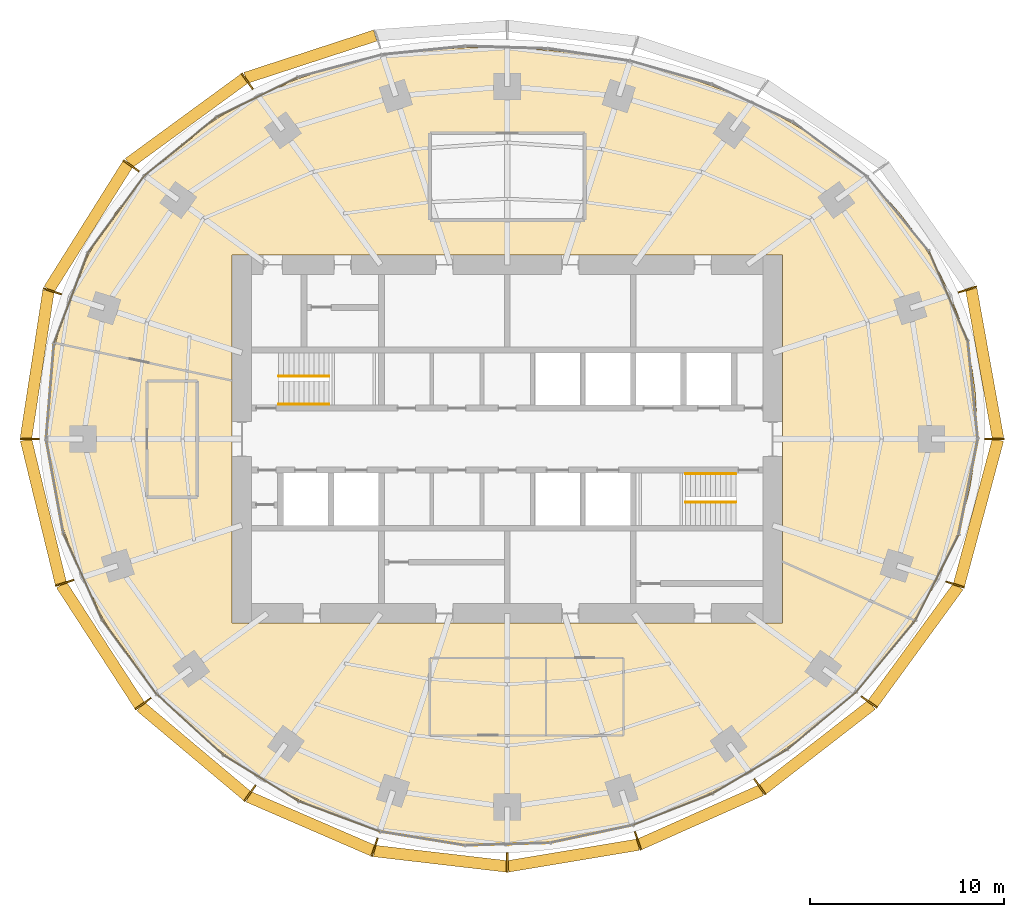
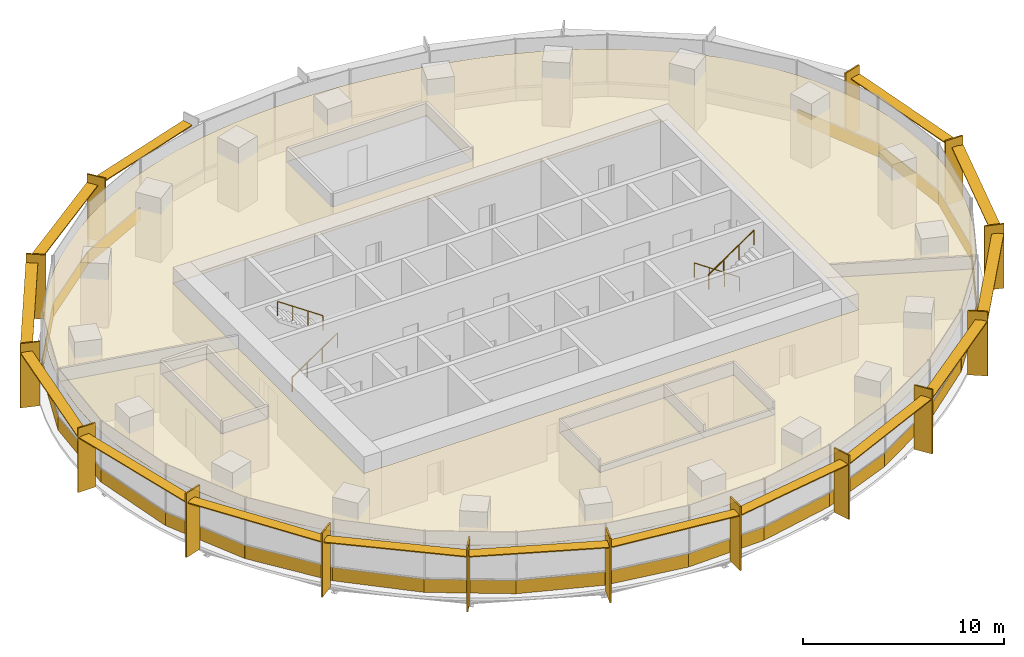
# One storey, part 13 of 14: 30 shading devices, 27 coverings, 4 railings.
"""IFC4 building model written with IfcOpenShell, lengths in metres."""

from ifc_helpers import new_model, si_unit, direction, frame, origin, origin_2d, place, context, subcontext, project, spatial, polyline, rectangle, circle, outline, extrude, material, layer, layer_set, type_object, element, save


model = new_model("IFC4")

# Units and contexts
model_context = context("Model", 3, precision=1e-05, world=origin(), true_north=direction((0.0, 1.0)))
body_context = subcontext(model_context, "Body", "Model", "MODEL_VIEW")
ifc_project = project(units=[si_unit("LENGTHUNIT", "METRE"), si_unit("AREAUNIT", "SQUARE_METRE"), si_unit("VOLUMEUNIT", "CUBIC_METRE"), si_unit("PLANEANGLEUNIT", "RADIAN"), si_unit("MASSUNIT", "GRAM", prefix="KILO")], contexts=[model_context])

# Site, building, storey
site_placement = place(None, origin())
site = spatial("IfcSite", under=ifc_project, at=site_placement, CompositionType="ELEMENT")
building_placement = place(site_placement, origin())
building = spatial("IfcBuilding", under=site, at=building_placement, Name="Marramba Exchange Tower", CompositionType="ELEMENT")
storey_placement = place(building_placement, frame((0.0, 0.0, 218.89990234375)))
storey = spatial("IfcBuildingStorey", under=building, at=storey_placement, Name="L53", CompositionType="ELEMENT", Elevation=218.89990234375)

# Shading devices
ifc_material_1 = material(Name="Aluminium blade, timber-look bronze finish", Category="wood")
ifc_layer_1 = layer(ifc_material_1, 0.080078125)
ifc_layer_set_1 = layer_set([ifc_layer_1], Name="Floor-edge blade 1000x80")
shading_device_type_1 = type_object("IfcShadingDeviceType", Name="Floor-edge blade 1000x80", PredefinedType="USERDEFINED", material=ifc_layer_set_1)
for number, where, z_axis, x_axis, name in (
    (1, (25.14404296875, 0.0, -0.159912109375), (0.0, 0.0, 1.0), (1.0, 0.0, 0.0), "Floor-edge blade FB1 L53 TC01"),
    (2, (23.757080078125, 7.718994140625, -0.159912109375), (0.0, 0.0, 1.0), (0.951056516295, 0.309016994375, 0.0), "Floor-edge blade FB1 L53 TC02"),
    (3, (-13.422607421875, 18.474609375, -0.159912109375), (0.0, 0.0, 1.0), (-0.587785252292, 0.809016994375, 0.0), "Floor-edge blade FB1 L53 TC08"),
    (4, (-19.4140625, 14.105224609375, -0.159912109375), (0.0, 0.0, 1.0), (-0.809016994375, 0.587785252292, 0.0), "Floor-edge blade FB1 L53 TC09"),
    (5, (-23.488525390625, 7.6318359375, -0.159912109375), (0.0, 0.0, 1.0), (-0.951056516295, 0.309016994375, 0.0), "Floor-edge blade FB1 L53 TC10"),
    (6, (-24.656005859375, 0.0, -0.159912109375), (0.0, 0.0, 1.0), (-1.0, 0.0, 0.0), "Floor-edge blade FB1 L53 TC11"),
    (7, (-22.848876953125, -7.424072265625, -0.159912109375), (0.0, 0.0, 1.0), (-0.951056516295, -0.309016994375, 0.0), "Floor-edge blade FB1 L53 TC12"),
    (8, (-18.7998046875, -13.658935546875, -0.159912109375), (0.0, 0.0, 1.0), (-0.809016994375, -0.587785252292, 0.0), "Floor-edge blade FB1 L53 TC13"),
    (9, (-13.2841796875, -18.2841796875, -0.159912109375), (0.0, 0.0, 1.0), (-0.587785252292, -0.809016994375, 0.0), "Floor-edge blade FB1 L53 TC14"),
    (10, (-6.845703125, -21.069091796875, -0.159912109375), (0.0, 0.0, 1.0), (-0.309016994375, -0.951056516295, 0.0), "Floor-edge blade FB1 L53 TC15"),
    (11, (0.0, -21.86376953125, -0.159912109375), (0.0, 0.0, 1.0), (0.0, -1.0, 0.0), "Floor-edge blade FB1 L53 TC16"),
    (12, (6.739501953125, -20.741943359375, -0.159912109375), (0.0, 0.0, 1.0), (0.309016994375, -0.951056516295, 0.0), "Floor-edge blade FB1 L53 TC17"),
    (13, (13.0380859375, -17.9453125, -0.159912109375), (0.0, 0.0, 1.0), (0.587785252292, -0.809016994375, 0.0), "Floor-edge blade FB1 L53 TC18"),
    (14, (18.6845703125, -13.5751953125, -0.159912109375), (0.0, 0.0, 1.0), (0.809016994375, -0.587785252292, 0.0), "Floor-edge blade FB1 L53 TC19"),
    (15, (23.1171875, -7.51123046875, -0.159912109375), (0.0, 0.0, 1.0), (0.951056516295, -0.309016994375, 0.0), "Floor-edge blade FB1 L53 TC20"),
):
    element("IfcShadingDevice", number, at=place(storey_placement, frame(where, z_axis=z_axis, x_axis=x_axis)), inside=storey, type_object=shading_device_type_1, Name=name, ObjectType="FIN", PredefinedType="USERDEFINED", context=body_context, shape_type="SweptSolid", body=[
        extrude(rectangle(XDim=1.0, YDim=0.080078125, at=origin_2d()), origin(), (0.0, 0.0, 1.0), 3.89990234375),
    ])
ifc_material_2 = material(Name="Aluminium sunshade, bronze anodised", Category="aluminium")
ifc_layer_2 = layer(ifc_material_2, 0.06005859375)
ifc_layer_set_2 = layer_set([ifc_layer_2], Name="SUNSHADE blade 600x60")
shading_device_type_2 = type_object("IfcShadingDeviceType", Name="SUNSHADE blade 600x60", PredefinedType="USERDEFINED", material=ifc_layer_set_2)
shading_device_1_placement = place(storey_placement, frame((24.6455078125, 3.890380859375, 3.16015625), z_axis=(0.0, 0.0, 1.0), x_axis=(-0.176690623809, 0.984266439262, 0.0)))
element("IfcShadingDevice", 16, at=shading_device_1_placement, inside=storey, type_object=shading_device_type_2, Name="Sunshade SS1 L53 bay 01", ObjectType="SUNSHADE", PredefinedType="USERDEFINED", context=body_context, shape_type="SweptSolid", body=[
    extrude(rectangle(XDim=7.8251953125, YDim=0.60009765625, at=origin_2d()), origin(), (0.0, 0.0, 1.0), 0.06005859375),
])
shading_device_2_placement = place(storey_placement, frame((-10.156982421875, 19.741943359375, 3.16015625), z_axis=(0.0, 0.0, 1.0), x_axis=(-0.950537602937, -0.310609506297, 0.0)))
element("IfcShadingDevice", 17, at=shading_device_2_placement, inside=storey, type_object=shading_device_type_2, Name="Sunshade SS1 L53 bay 07", ObjectType="SUNSHADE", PredefinedType="USERDEFINED", context=body_context, shape_type="SweptSolid", body=[
    extrude(rectangle(XDim=7.03857421875, YDim=0.60009765625, at=origin_2d()), origin(), (0.0, 0.0, 1.0), 0.06005859375),
])
shading_device_3_placement = place(storey_placement, frame((-16.55810546875, 16.4296875, 3.16015625), z_axis=(0.0, 0.0, 1.0), x_axis=(-0.80719390073, -0.59028637679, 0.0)))
element("IfcShadingDevice", 18, at=shading_device_3_placement, inside=storey, type_object=shading_device_type_2, Name="Sunshade SS1 L53 bay 08", ObjectType="SUNSHADE", PredefinedType="USERDEFINED", context=body_context, shape_type="SweptSolid", body=[
    extrude(rectangle(XDim=7.3974609375, YDim=0.60009765625, at=origin_2d()), origin(), (0.0, 0.0, 1.0), 0.06005859375),
])
shading_device_4_placement = place(storey_placement, frame((-21.62744140625, 10.958251953125, 3.16015625), z_axis=(0.0, 0.0, 1.0), x_axis=(-0.532082259983, -0.846692664792, 0.0)))
element("IfcShadingDevice", 19, at=shading_device_4_placement, inside=storey, type_object=shading_device_type_2, Name="Sunshade SS1 L53 bay 09", ObjectType="SUNSHADE", PredefinedType="USERDEFINED", context=body_context, shape_type="SweptSolid", body=[
    extrude(rectangle(XDim=7.631103515625, YDim=0.60009765625, at=origin_2d()), origin(), (0.0, 0.0, 1.0), 0.06005859375),
])
shading_device_5_placement = place(storey_placement, frame((-24.267333984375, 3.846923828125, 3.16015625), z_axis=(0.0, 0.0, 1.0), x_axis=(-0.151240669327, -0.988496970123, 0.0)))
element("IfcShadingDevice", 20, at=shading_device_5_placement, inside=storey, type_object=shading_device_type_2, Name="Sunshade SS1 L53 bay 10", ObjectType="SUNSHADE", PredefinedType="USERDEFINED", context=body_context, shape_type="SweptSolid", body=[
    extrude(rectangle(XDim=7.703369140625, YDim=0.60009765625, at=origin_2d()), origin(), (0.0, 0.0, 1.0), 0.06005859375),
])
shading_device_6_placement = place(storey_placement, frame((-23.947509765625, -3.742919921875, 3.16015625), z_axis=(0.0, 0.0, 1.0), x_axis=(0.235861488454, -0.971786683519, 0.0)))
element("IfcShadingDevice", 21, at=shading_device_6_placement, inside=storey, type_object=shading_device_type_2, Name="Sunshade SS1 L53 bay 11", ObjectType="SUNSHADE", PredefinedType="USERDEFINED", context=body_context, shape_type="SweptSolid", body=[
    extrude(rectangle(XDim=7.623291015625, YDim=0.60009765625, at=origin_2d()), origin(), (0.0, 0.0, 1.0), 0.06005859375),
])
shading_device_7_placement = place(storey_placement, frame((-21.000244140625, -10.631103515625, 3.16015625), z_axis=(0.0, 0.0, 1.0), x_axis=(0.543921771105, -0.839135928749, 0.0)))
element("IfcShadingDevice", 22, at=shading_device_7_placement, inside=storey, type_object=shading_device_type_2, Name="Sunshade SS1 L53 bay 12", ObjectType="SUNSHADE", PredefinedType="USERDEFINED", context=body_context, shape_type="SweptSolid", body=[
    extrude(rectangle(XDim=7.41650390625, YDim=0.60009765625, at=origin_2d()), origin(), (0.0, 0.0, 1.0), 0.06005859375),
])
shading_device_8_placement = place(storey_placement, frame((-16.181640625, -16.111083984375, 3.16015625), z_axis=(0.0, 0.0, 1.0), x_axis=(0.765761970568, -0.643124097225, 0.0)))
element("IfcShadingDevice", 23, at=shading_device_8_placement, inside=storey, type_object=shading_device_type_2, Name="Sunshade SS1 L53 bay 13", ObjectType="SUNSHADE", PredefinedType="USERDEFINED", context=body_context, shape_type="SweptSolid", body=[
    extrude(rectangle(XDim=7.1806640625, YDim=0.60009765625, at=origin_2d()), origin(), (0.0, 0.0, 1.0), 0.06005859375),
])
shading_device_9_placement = place(storey_placement, frame((-10.154541015625, -19.8525390625, 3.16015625), z_axis=(0.0, 0.0, 1.0), x_axis=(0.917589256742, -0.397529817639, 0.0)))
element("IfcShadingDevice", 24, at=shading_device_9_placement, inside=storey, type_object=shading_device_type_2, Name="Sunshade SS1 L53 bay 14", ObjectType="SUNSHADE", PredefinedType="USERDEFINED", context=body_context, shape_type="SweptSolid", body=[
    extrude(rectangle(XDim=6.997314453125, YDim=0.60009765625, at=origin_2d()), origin(), (0.0, 0.0, 1.0), 0.06005859375),
])
shading_device_10_placement = place(storey_placement, frame((-3.453857421875, -21.66162109375, 3.16015625), z_axis=(0.0, 0.0, 1.0), x_axis=(0.993288257497, -0.1156651958, 0.0)))
element("IfcShadingDevice", 25, at=shading_device_10_placement, inside=storey, type_object=shading_device_type_2, Name="Sunshade SS1 L53 bay 15", ObjectType="SUNSHADE", PredefinedType="USERDEFINED", context=body_context, shape_type="SweptSolid", body=[
    extrude(rectangle(XDim=6.874267578125, YDim=0.60009765625, at=origin_2d()), origin(), (0.0, 0.0, 1.0), 0.06005859375),
])
shading_device_11_placement = place(storey_placement, frame((3.400634765625, -21.498046875, 3.16015625), z_axis=(0.0, 0.0, 1.0), x_axis=(0.986439622954, 0.164124557168, 0.0)))
element("IfcShadingDevice", 26, at=shading_device_11_placement, inside=storey, type_object=shading_device_type_2, Name="Sunshade SS1 L53 bay 16", ObjectType="SUNSHADE", PredefinedType="USERDEFINED", context=body_context, shape_type="SweptSolid", body=[
    extrude(rectangle(XDim=6.814697265625, YDim=0.60009765625, at=origin_2d()), origin(), (0.0, 0.0, 1.0), 0.06005859375),
])
shading_device_12_placement = place(storey_placement, frame((9.978515625, -19.519775390625, 3.16015625), z_axis=(0.0, 0.0, 1.0), x_axis=(0.913771678576, 0.406228161792, 0.0)))
element("IfcShadingDevice", 27, at=shading_device_12_placement, inside=storey, type_object=shading_device_type_2, Name="Sunshade SS1 L53 bay 17", ObjectType="SUNSHADE", PredefinedType="USERDEFINED", context=body_context, shape_type="SweptSolid", body=[
    extrude(rectangle(XDim=6.8740234375, YDim=0.60009765625, at=origin_2d()), origin(), (0.0, 0.0, 1.0), 0.06005859375),
])
shading_device_13_placement = place(storey_placement, frame((16.0009765625, -15.89990234375, 3.16015625), z_axis=(0.0, 0.0, 1.0), x_axis=(0.790133082515, 0.612935324414, 0.0)))
element("IfcShadingDevice", 28, at=shading_device_13_placement, inside=storey, type_object=shading_device_type_2, Name="Sunshade SS1 L53 bay 18", ObjectType="SUNSHADE", PredefinedType="USERDEFINED", context=body_context, shape_type="SweptSolid", body=[
    extrude(rectangle(XDim=7.122314453125, YDim=0.60009765625, at=origin_2d()), origin(), (0.0, 0.0, 1.0), 0.06005859375),
])
shading_device_14_placement = place(storey_placement, frame((21.076904296875, -10.6328125, 3.16015625), z_axis=(0.0, 0.0, 1.0), x_axis=(0.589071758439, 0.808080728275, 0.0)))
element("IfcShadingDevice", 29, at=shading_device_14_placement, inside=storey, type_object=shading_device_type_2, Name="Sunshade SS1 L53 bay 19", ObjectType="SUNSHADE", PredefinedType="USERDEFINED", context=body_context, shape_type="SweptSolid", body=[
    extrude(rectangle(XDim=7.4931640625, YDim=0.60009765625, at=origin_2d()), origin(), (0.0, 0.0, 1.0), 0.06005859375),
])
shading_device_15_placement = place(storey_placement, frame((24.32568359375, -3.78662109375, 3.16015625), z_axis=(0.0, 0.0, 1.0), x_axis=(0.259692365654, 0.965691397508, 0.0)))
element("IfcShadingDevice", 30, at=shading_device_15_placement, inside=storey, type_object=shading_device_type_2, Name="Sunshade SS1 L53 bay 20", ObjectType="SUNSHADE", PredefinedType="USERDEFINED", context=body_context, shape_type="SweptSolid", body=[
    extrude(rectangle(XDim=7.76220703125, YDim=0.60009765625, at=origin_2d()), origin(), (0.0, 0.0, 1.0), 0.06005859375),
])

# Coverings
ifc_material_3 = material(Name="Aluminium spandrel panel, bronze anodised, insulated", Category="aluminium")
ifc_layer_3 = layer(ifc_material_3, 0.050048828125)
ifc_layer_set_3 = layer_set([ifc_layer_3], Name="Spandrel panel 800")
covering_type_1 = type_object("IfcCoveringType", Name="Spandrel panel 800", PredefinedType="CLADDING", material=ifc_layer_set_3)
covering_1_placement = place(storey_placement, frame((24.036376953125, 2.527099609375, 0.0), z_axis=(0.0, 0.0, 1.0), x_axis=(-0.101422478545, 0.994843445395, 0.0)))
element("IfcCovering", 31, at=covering_1_placement, inside=storey, type_object=covering_type_1, Name="Spandrel panel SP1 L53 F01", PredefinedType="CLADDING", context=body_context, shape_type="SweptSolid", body=[
    extrude(rectangle(XDim=5.08056640625, YDim=0.050048828125, at=origin_2d()), origin(), (0.0, 0.0, 1.0), 0.800048828125),
])
covering_2_placement = place(storey_placement, frame((22.77734375, 7.374755859375, 0.0), z_axis=(0.0, 0.0, 1.0), x_axis=(-0.396193349205, 0.918167103552, 0.0)))
element("IfcCovering", 32, at=covering_2_placement, inside=storey, type_object=covering_type_1, Name="Spandrel panel SP1 L53 F02", PredefinedType="CLADDING", context=body_context, shape_type="SweptSolid", body=[
    extrude(rectangle(XDim=5.0546875, YDim=0.050048828125, at=origin_2d()), origin(), (0.0, 0.0, 1.0), 0.800048828125),
])
covering_3_placement = place(storey_placement, frame((-12.88818359375, 17.666748046875, 0.0), z_axis=(0.0, 0.0, 1.0), x_axis=(-0.898500520314, -0.438972453572, 0.0)))
element("IfcCovering", 33, at=covering_3_placement, inside=storey, type_object=covering_type_1, Name="Spandrel panel SP1 L53 F11", PredefinedType="CLADDING", context=body_context, shape_type="SweptSolid", body=[
    extrude(rectangle(XDim=4.667236328125, YDim=0.050048828125, at=origin_2d()), origin(), (0.0, 0.0, 1.0), 0.800048828125),
])
covering_4_placement = place(storey_placement, frame((-16.855712890625, 15.1240234375, 0.0), z_axis=(0.0, 0.0, 1.0), x_axis=(-0.776432169123, -0.630200830491, 0.0)))
element("IfcCovering", 34, at=covering_4_placement, inside=storey, type_object=covering_type_1, Name="Spandrel panel SP1 L53 F12", PredefinedType="CLADDING", context=body_context, shape_type="SweptSolid", body=[
    extrude(rectangle(XDim=4.81884765625, YDim=0.050048828125, at=origin_2d()), origin(), (0.0, 0.0, 1.0), 0.800048828125),
])
covering_5_placement = place(storey_placement, frame((-20.184326171875, 11.62060546875, 0.0), z_axis=(0.0, 0.0, 1.0), x_axis=(-0.591962919465, -0.805965198987, 0.0)))
element("IfcCovering", 35, at=covering_5_placement, inside=storey, type_object=covering_type_1, Name="Spandrel panel SP1 L53 F13", PredefinedType="CLADDING", context=body_context, shape_type="SweptSolid", body=[
    extrude(rectangle(XDim=4.925537109375, YDim=0.050048828125, at=origin_2d()), origin(), (0.0, 0.0, 1.0), 0.800048828125),
])
covering_6_placement = place(storey_placement, frame((-22.518798828125, 7.30419921875, 0.0), z_axis=(0.0, 0.0, 1.0), x_axis=(-0.351951514464, -0.936018232443, 0.0)))
element("IfcCovering", 36, at=covering_6_placement, inside=storey, type_object=covering_type_1, Name="Spandrel panel SP1 L53 F14", PredefinedType="CLADDING", context=body_context, shape_type="SweptSolid", body=[
    extrude(rectangle(XDim=4.981689453125, YDim=0.050048828125, at=origin_2d()), origin(), (0.0, 0.0, 1.0), 0.800048828125),
])
covering_7_placement = place(storey_placement, frame((-23.600830078125, 2.486328125, 0.0), z_axis=(0.0, 0.0, 1.0), x_axis=(-0.082280881776, -0.996609179415, 0.0)))
element("IfcCovering", 37, at=covering_7_placement, inside=storey, type_object=covering_type_1, Name="Spandrel panel SP1 L53 F15", PredefinedType="CLADDING", context=body_context, shape_type="SweptSolid", body=[
    extrude(rectangle(XDim=4.98974609375, YDim=0.050048828125, at=origin_2d()), origin(), (0.0, 0.0, 1.0), 0.800048828125),
])
covering_8_placement = place(storey_placement, frame((-23.359619140625, -2.43505859375, 0.0), z_axis=(0.0, 0.0, 1.0), x_axis=(0.180327442841, -0.983606635479, 0.0)))
element("IfcCovering", 38, at=covering_8_placement, inside=storey, type_object=covering_type_1, Name="Spandrel panel SP1 L53 F16", PredefinedType="CLADDING", context=body_context, shape_type="SweptSolid", body=[
    extrude(rectangle(XDim=4.951416015625, YDim=0.050048828125, at=origin_2d()), origin(), (0.0, 0.0, 1.0), 0.800048828125),
])
covering_9_placement = place(storey_placement, frame((-21.920654296875, -7.093994140625, 0.0), z_axis=(0.0, 0.0, 1.0), x_axis=(0.407557582153, -0.913179509861, 0.0)))
element("IfcCovering", 39, at=covering_9_placement, inside=storey, type_object=covering_type_1, Name="Spandrel panel SP1 L53 F17", PredefinedType="CLADDING", context=body_context, shape_type="SweptSolid", body=[
    extrude(rectangle(XDim=4.870361328125, YDim=0.050048828125, at=origin_2d()), origin(), (0.0, 0.0, 1.0), 0.800048828125),
])
covering_10_placement = place(storey_placement, frame((-19.520263671875, -11.238525390625, 0.0), z_axis=(0.0, 0.0, 1.0), x_axis=(0.591223097085, -0.80650805915, 0.0)))
element("IfcCovering", 40, at=covering_10_placement, inside=storey, type_object=covering_type_1, Name="Spandrel panel SP1 L53 F18", PredefinedType="CLADDING", context=body_context, shape_type="SweptSolid", body=[
    extrude(rectangle(XDim=4.762939453125, YDim=0.050048828125, at=origin_2d()), origin(), (0.0, 0.0, 1.0), 0.800048828125),
])
covering_11_placement = place(storey_placement, frame((-16.396240234375, -14.73193359375, 0.0), z_axis=(0.0, 0.0, 1.0), x_axis=(0.737203259599, -0.67567103981, 0.0)))
element("IfcCovering", 41, at=covering_11_placement, inside=storey, type_object=covering_type_1, Name="Spandrel panel SP1 L53 F19", PredefinedType="CLADDING", context=body_context, shape_type="SweptSolid", body=[
    extrude(rectangle(XDim=4.65478515625, YDim=0.050048828125, at=origin_2d()), origin(), (0.0, 0.0, 1.0), 0.800048828125),
])
covering_12_placement = place(storey_placement, frame((-12.73583984375, -17.497802734375, 0.0), z_axis=(0.0, 0.0, 1.0), x_axis=(0.852301010692, -0.52305161043, 0.0)))
element("IfcCovering", 42, at=covering_12_placement, inside=storey, type_object=covering_type_1, Name="Spandrel panel SP1 L53 F20", PredefinedType="CLADDING", context=body_context, shape_type="SweptSolid", body=[
    extrude(rectangle(XDim=4.563232421875, YDim=0.050048828125, at=origin_2d()), origin(), (0.0, 0.0, 1.0), 0.800048828125),
])
covering_13_placement = place(storey_placement, frame((-8.687255859375, -19.47607421875, 0.0), z_axis=(0.0, 0.0, 1.0), x_axis=(0.936951581946, -0.349459200892, 0.0)))
element("IfcCovering", 43, at=covering_13_placement, inside=storey, type_object=covering_type_1, Name="Spandrel panel SP1 L53 F21", PredefinedType="CLADDING", context=body_context, shape_type="SweptSolid", body=[
    extrude(rectangle(XDim=4.491455078125, YDim=0.050048828125, at=origin_2d()), origin(), (0.0, 0.0, 1.0), 0.800048828125),
])
covering_14_placement = place(storey_placement, frame((-4.393798828125, -20.6181640625, 0.0), z_axis=(0.0, 0.0, 1.0), x_axis=(0.98693062179, -0.161145734582, 0.0)))
element("IfcCovering", 44, at=covering_14_placement, inside=storey, type_object=covering_type_1, Name="Spandrel panel SP1 L53 F22", PredefinedType="CLADDING", context=body_context, shape_type="SweptSolid", body=[
    extrude(rectangle(XDim=4.4365234375, YDim=0.050048828125, at=origin_2d()), origin(), (0.0, 0.0, 1.0), 0.800048828125),
])
covering_15_placement = place(storey_placement, frame((-0.0068359375, -20.9111328125, 0.0), z_axis=(0.0, 0.0, 1.0), x_axis=(0.99956791932, 0.02939344597, 0.0)))
element("IfcCovering", 45, at=covering_15_placement, inside=storey, type_object=covering_type_1, Name="Spandrel panel SP1 L53 F23", PredefinedType="CLADDING", context=body_context, shape_type="SweptSolid", body=[
    extrude(rectangle(XDim=4.3974609375, YDim=0.050048828125, at=origin_2d()), origin(), (0.0, 0.0, 1.0), 0.800048828125),
])
covering_16_placement = place(storey_placement, frame((4.333984375, -20.389892578125, 0.0), z_axis=(0.0, 0.0, 1.0), x_axis=(0.978058068956, 0.208332459664, 0.0)))
element("IfcCovering", 46, at=covering_16_placement, inside=storey, type_object=covering_type_1, Name="Spandrel panel SP1 L53 F24", PredefinedType="CLADDING", context=body_context, shape_type="SweptSolid", body=[
    extrude(rectangle(XDim=4.3818359375, YDim=0.050048828125, at=origin_2d()), origin(), (0.0, 0.0, 1.0), 0.800048828125),
])
covering_17_placement = place(storey_placement, frame((8.525390625, -19.124267578125, 0.0), z_axis=(0.0, 0.0, 1.0), x_axis=(0.93007301151, 0.367374731386, 0.0)))
element("IfcCovering", 47, at=covering_17_placement, inside=storey, type_object=covering_type_1, Name="Spandrel panel SP1 L53 F25", PredefinedType="CLADDING", context=body_context, shape_type="SweptSolid", body=[
    extrude(rectangle(XDim=4.405517578125, YDim=0.050048828125, at=origin_2d()), origin(), (0.0, 0.0, 1.0), 0.800048828125),
])
covering_18_placement = place(storey_placement, frame((12.50634765625, -17.175537109375, 0.0), z_axis=(0.0, 0.0, 1.0), x_axis=(0.861350829898, 0.508010578466, 0.0)))
element("IfcCovering", 48, at=covering_18_placement, inside=storey, type_object=covering_type_1, Name="Spandrel panel SP1 L53 F26", PredefinedType="CLADDING", context=body_context, shape_type="SweptSolid", body=[
    extrude(rectangle(XDim=4.486572265625, YDim=0.050048828125, at=origin_2d()), origin(), (0.0, 0.0, 1.0), 0.800048828125),
])
covering_19_placement = place(storey_placement, frame((16.2177734375, -14.5556640625, 0.0), z_axis=(0.0, 0.0, 1.0), x_axis=(0.768736803132, 0.639565264465, 0.0)))
element("IfcCovering", 49, at=covering_19_placement, inside=storey, type_object=covering_type_1, Name="Spandrel panel SP1 L53 F27", PredefinedType="CLADDING", context=body_context, shape_type="SweptSolid", body=[
    extrude(rectangle(XDim=4.628662109375, YDim=0.050048828125, at=origin_2d()), origin(), (0.0, 0.0, 1.0), 0.800048828125),
])
covering_20_placement = place(storey_placement, frame((19.529541015625, -11.2265625, 0.0), z_axis=(0.0, 0.0, 1.0), x_axis=(0.638149992226, 0.769912064733, 0.0)))
element("IfcCovering", 50, at=covering_20_placement, inside=storey, type_object=covering_type_1, Name="Spandrel panel SP1 L53 F28", PredefinedType="CLADDING", context=body_context, shape_type="SweptSolid", body=[
    extrude(rectangle(XDim=4.80322265625, YDim=0.050048828125, at=origin_2d()), origin(), (0.0, 0.0, 1.0), 0.800048828125),
])
covering_21_placement = place(storey_placement, frame((22.17919921875, -7.16455078125, 0.0), z_axis=(0.0, 0.0, 1.0), x_axis=(0.450673091404, 0.892689063832, 0.0)))
element("IfcCovering", 51, at=covering_21_placement, inside=storey, type_object=covering_type_1, Name="Spandrel panel SP1 L53 F29", PredefinedType="CLADDING", context=body_context, shape_type="SweptSolid", body=[
    extrude(rectangle(XDim=4.957763671875, YDim=0.050048828125, at=origin_2d()), origin(), (0.0, 0.0, 1.0), 0.800048828125),
])
covering_22_placement = place(storey_placement, frame((23.795166015625, -2.475830078125, 0.0), z_axis=(0.0, 0.0, 1.0), x_axis=(0.197495401381, 0.980303813332, 0.0)))
element("IfcCovering", 52, at=covering_22_placement, inside=storey, type_object=covering_type_1, Name="Spandrel panel SP1 L53 F30", PredefinedType="CLADDING", context=body_context, shape_type="SweptSolid", body=[
    extrude(rectangle(XDim=5.05126953125, YDim=0.050048828125, at=origin_2d()), origin(), (0.0, 0.0, 1.0), 0.800048828125),
])

# Railings
ifc_material_4 = material(Name="Stainless steel handrail", Category="steel")
railing_type = type_object("IfcRailingType", Name="Stair handrail 900", PredefinedType="HANDRAIL", material=ifc_material_4)
railing_1_placement = place(storey_placement, frame((-11.800048828125, 1.800048828125, 0.177490234375)))
element("IfcRailing", 53, at=railing_1_placement, inside=storey, type_object=railing_type, Name="Handrail HR1 ST1 L53 flight 1", PredefinedType="HANDRAIL", context=body_context, shape_type="SweptSolid", body=[
    extrude(circle(Radius=0.02392578125, at=origin_2d()), frame((0.0, 0.0, 0.8759765625), z_axis=(0.826240473404, 0.0, 0.563317565952), x_axis=(0.0, 1.0, 0.0)), (0.0, 0.0, 1.0), 3.14697265625),
    extrude(circle(Radius=0.02099609375, at=origin_2d()), origin(), (0.0, 0.0, 1.0), 0.851806640625),
    extrude(circle(Radius=0.02099609375, at=origin_2d()), frame((0.86669921875, 0.0, 0.5908203125)), (0.0, 0.0, 1.0), 0.851806640625),
    extrude(circle(Radius=0.02099609375, at=origin_2d()), frame((1.7333984375, 0.0, 1.181884765625)), (0.0, 0.0, 1.0), 0.851806640625),
    extrude(circle(Radius=0.02099609375, at=origin_2d()), frame((2.60009765625, 0.0, 1.772705078125)), (0.0, 0.0, 1.0), 0.851806640625),
])
for number, where, name in (
    (54, (-9.199951171875, 3.25, 2.12744140625), "Handrail HR1 ST1 L53 flight 2"),
    (55, (11.800048828125, -1.800048828125, 0.177490234375), "Handrail HR1 ST2 L53 flight 1"),
):
    element("IfcRailing", number, at=place(storey_placement, frame(where)), inside=storey, type_object=railing_type, Name=name, PredefinedType="HANDRAIL", context=body_context, shape_type="SweptSolid", body=[
        extrude(circle(Radius=0.02392578125, at=origin_2d()), frame((0.0, 0.0, 0.8759765625), z_axis=(-0.826240473404, 0.0, 0.563317565952), x_axis=(0.0, -1.0, 0.0)), (0.0, 0.0, 1.0), 3.14697265625),
        extrude(circle(Radius=0.02099609375, at=origin_2d()), origin(), (0.0, 0.0, 1.0), 0.851806640625),
        extrude(circle(Radius=0.02099609375, at=origin_2d()), frame((-0.86669921875, 0.0, 0.5908203125)), (0.0, 0.0, 1.0), 0.851806640625),
        extrude(circle(Radius=0.02099609375, at=origin_2d()), frame((-1.7333984375, 0.0, 1.181884765625)), (0.0, 0.0, 1.0), 0.851806640625),
        extrude(circle(Radius=0.02099609375, at=origin_2d()), frame((-2.60009765625, 0.0, 1.772705078125)), (0.0, 0.0, 1.0), 0.851806640625),
    ])
railing_2_placement = place(storey_placement, frame((9.199951171875, -3.25, 2.12744140625)))
element("IfcRailing", 56, at=railing_2_placement, inside=storey, type_object=railing_type, Name="Handrail HR1 ST2 L53 flight 2", PredefinedType="HANDRAIL", context=body_context, shape_type="SweptSolid", body=[
    extrude(circle(Radius=0.02392578125, at=origin_2d()), frame((0.0, 0.0, 0.8759765625), z_axis=(0.826240473404, 0.0, 0.563317565952), x_axis=(0.0, 1.0, 0.0)), (0.0, 0.0, 1.0), 3.14697265625),
    extrude(circle(Radius=0.02099609375, at=origin_2d()), origin(), (0.0, 0.0, 1.0), 0.851806640625),
    extrude(circle(Radius=0.02099609375, at=origin_2d()), frame((0.86669921875, 0.0, 0.5908203125)), (0.0, 0.0, 1.0), 0.851806640625),
    extrude(circle(Radius=0.02099609375, at=origin_2d()), frame((1.7333984375, 0.0, 1.181884765625)), (0.0, 0.0, 1.0), 0.851806640625),
    extrude(circle(Radius=0.02099609375, at=origin_2d()), frame((2.60009765625, 0.0, 1.772705078125)), (0.0, 0.0, 1.0), 0.851806640625),
])

# Coverings
ifc_material_5 = material(Name="Mineral fibre ceiling tiles", Category="gypsum")
ifc_layer_4 = layer(ifc_material_5, 0.02001953125)
ifc_layer_set_4 = layer_set([ifc_layer_4], Name="Suspended ceiling 20")
covering_type_2 = type_object("IfcCoveringType", Name="Suspended ceiling 20", PredefinedType="CEILING", material=ifc_layer_set_4)
covering_23_placement = place(storey_placement, frame((0.0, 0.0, 2.900146484375)))
element("IfcCovering", 57, at=covering_23_placement, inside=storey, type_object=covering_type_2, Name="Ceiling CL1 L53 Research Analyst Office", PredefinedType="CEILING", context=body_context, shape_type="SweptSolid", body=[
    extrude(outline(polyline([(-14.199951171875, 9.5), (-14.199951171875, 3.018310546875), (-23.317138671875, 4.956298828125), (-23.002197265625, 6.163330078125), (-22.604248046875, 7.344482421875), (-22.125244140625, 8.4931640625), (-21.569091796875, 9.603271484375), (-20.939697265625, 10.669189453125), (-20.24169921875, 11.6865234375), (-19.48046875, 12.650634765625), (-18.66162109375, 13.55859375), (-17.79150390625, 14.4072265625), (-16.87548828125, 15.19482421875), (-15.920166015625, 15.920166015625), (-14.931396484375, 16.5830078125), (-13.914794921875, 17.183349609375), (-12.8759765625, 17.722412109375), (-11.820068359375, 18.201171875), (-10.75146484375, 18.621826171875), (-9.67431640625, 18.98681640625), (-8.59228515625, 19.29833984375), (-7.50830078125, 19.559326171875), (-6.424560546875, 19.77294921875), (-5.34326171875, 19.941650390625), (-4.265625, 20.068603515625), (-3.1923828125, 20.15625), (-2.123779296875, 20.20703125), (-1.059814453125, 20.22314453125), (0.0, 20.206298828125), (1.056396484375, 20.15771484375), (2.1103515625, 20.077880859375), (3.16259765625, 19.96728515625), (4.214111328125, 19.82568359375), (5.265869140625, 19.65234375), (6.318359375, 19.445556640625), (7.371826171875, 19.2041015625), (8.426025390625, 18.92529296875), (9.480712890625, 18.60693359375), (10.5341796875, 18.245849609375), (11.584716796875, 17.839111328125), (12.6298828125, 17.383544921875), (13.666259765625, 16.87646484375), (14.689453125, 16.314453125), (15.695068359375, 15.695068359375), (16.67724609375, 15.016357421875), (17.6298828125, 14.276611328125), (18.54638671875, 13.474853515625), (19.41943359375, 12.611083984375), (20.24169921875, 11.6865234375), (21.00537109375, 10.70263671875), (21.702880859375, 9.662841796875), (22.32763671875, 8.57080078125), (22.87255859375, 7.431640625), (23.331787109375, 6.251708984375), (23.700439453125, 5.03759765625), (23.974853515625, 3.797119140625), (24.15234375, 2.53857421875), (24.23193359375, 1.27001953125), (24.214111328125, 0.0), (24.10009765625, -1.262939453125), (23.89306640625, -2.51123046875), (23.597412109375, -3.737548828125), (23.218017578125, -4.935302734375), (22.760986328125, -6.098876953125), (22.23291015625, -7.223876953125), (21.639892578125, -8.306884765625), (20.989013671875, -9.344970703125), (14.199951171875, -6.322265625), (14.199951171875, 9.5), (-14.199951171875, 9.5)]), holes=[polyline([(4.0, 15.800048828125), (-4.0, 15.800048828125), (-4.0, 11.300048828125), (4.0, 11.300048828125), (4.0, 15.800048828125)])]), origin(), (0.0, 0.0, 1.0), 0.02001953125),
])
covering_24_placement = place(storey_placement, frame((0.0, 0.0, 2.900146484375)))
element("IfcCovering", 58, at=covering_24_placement, inside=storey, type_object=covering_type_2, Name="Ceiling CL1 L53 Portfolio Office", PredefinedType="CEILING", context=body_context, shape_type="SweptSolid", body=[
    extrude(outline(polyline([(19.539794921875, -11.28125), (18.753173828125, -12.178466796875), (17.93212890625, -13.028564453125), (17.08154296875, -13.832275390625), (16.204833984375, -14.5908203125), (15.30517578125, -15.30517578125), (14.38525390625, -15.976318359375), (13.44677734375, -16.60546875), (12.491455078125, -17.193115234375), (11.520263671875, -17.73974609375), (10.5341796875, -18.245849609375), (9.53369140625, -18.711181640625), (8.51953125, -19.13525390625), (7.4921875, -19.517578125), (6.4521484375, -19.857421875), (5.400146484375, -20.153564453125), (4.337158203125, -20.404541015625), (3.26416015625, -20.609619140625), (2.1826171875, -20.766845703125), (1.093994140625, -20.875244140625), (0.0, -20.93359375), (-1.097412109375, -20.94091796875), (-2.1962890625, -20.89599609375), (-3.294189453125, -20.79833984375), (-4.388916015625, -20.6474609375), (-5.477783203125, -20.44287109375), (-6.558349609375, -20.184814453125), (-7.62841796875, -19.873046875), (-8.685546875, -19.50830078125), (-9.727294921875, -19.091064453125), (-10.75146484375, -18.621826171875), (-11.755615234375, -18.101806640625), (-12.737548828125, -17.53173828125), (-13.6953125, -16.912353515625), (-14.626953125, -16.2451171875), (-15.5302734375, -15.5302734375), (-16.403076171875, -14.769287109375), (-17.242919921875, -13.962890625), (-18.04736328125, -13.1123046875), (-18.81396484375, -12.218017578125), (-19.539794921875, -11.28125), (-20.22119140625, -10.30322265625), (-20.85498046875, -9.285400390625), (-21.4375, -8.22900390625), (-21.96435546875, -7.13671875), (-22.431640625, -6.010498046875), (-22.8349609375, -4.853759765625), (-23.169921875, -3.669677734375), (-23.432373046875, -2.462890625), (-23.618896484375, -1.23779296875), (-23.72607421875, 0.0), (-23.7509765625, 1.24462890625), (-23.691650390625, 2.489990234375), (-23.547119140625, 3.7294921875), (-23.317138671875, 4.956298828125), (-14.199951171875, 3.018310546875), (-14.199951171875, -9.5), (14.199951171875, -9.5), (14.199951171875, -6.322265625), (20.989013671875, -9.344970703125), (20.286865234375, -10.336669921875), (19.539794921875, -11.28125)]), holes=[polyline([(2.0, -15.300048828125), (6.0, -15.300048828125), (6.0, -11.300048828125), (2.0, -11.300048828125), (-4.0, -11.300048828125), (-4.0, -15.300048828125), (2.0, -15.300048828125)]), polyline([(-18.60009765625, -3.0), (-16.0, -3.0), (-16.0, 3.0), (-18.60009765625, 3.0), (-18.60009765625, -3.0)])]), origin(), (0.0, 0.0, 1.0), 0.02001953125),
])
covering_25_placement = place(storey_placement, frame((0.0, 0.0, 2.900146484375)))
element("IfcCovering", 59, at=covering_25_placement, inside=storey, type_object=covering_type_2, Name="Ceiling CL1 L53 Pantry", PredefinedType="CEILING", context=body_context, shape_type="SweptSolid", body=[
    extrude(outline(polyline([(2.0, -15.300048828125), (-4.0, -15.300048828125), (-4.0, -11.300048828125), (2.0, -11.300048828125), (2.0, -15.300048828125)])), origin(), (0.0, 0.0, 1.0), 0.02001953125),
])
covering_26_placement = place(storey_placement, frame((0.0, 0.0, 2.900146484375)))
element("IfcCovering", 60, at=covering_26_placement, inside=storey, type_object=covering_type_2, Name="Ceiling CL1 L53 Print Room", PredefinedType="CEILING", context=body_context, shape_type="SweptSolid", body=[
    extrude(outline(polyline([(6.0, -15.300048828125), (2.0, -15.300048828125), (2.0, -11.300048828125), (6.0, -11.300048828125), (6.0, -15.300048828125)])), origin(), (0.0, 0.0, 1.0), 0.02001953125),
])
covering_27_placement = place(storey_placement, frame((0.0, 0.0, 2.900146484375)))
element("IfcCovering", 61, at=covering_27_placement, inside=storey, type_object=covering_type_2, Name="Ceiling CL1 L53 Quiet Room", PredefinedType="CEILING", context=body_context, shape_type="SweptSolid", body=[
    extrude(outline(polyline([(-16.0, -3.0), (-18.60009765625, -3.0), (-18.60009765625, 3.0), (-16.0, 3.0), (-16.0, -3.0)])), origin(), (0.0, 0.0, 1.0), 0.02001953125),
])

save(model, "model.ifc")
